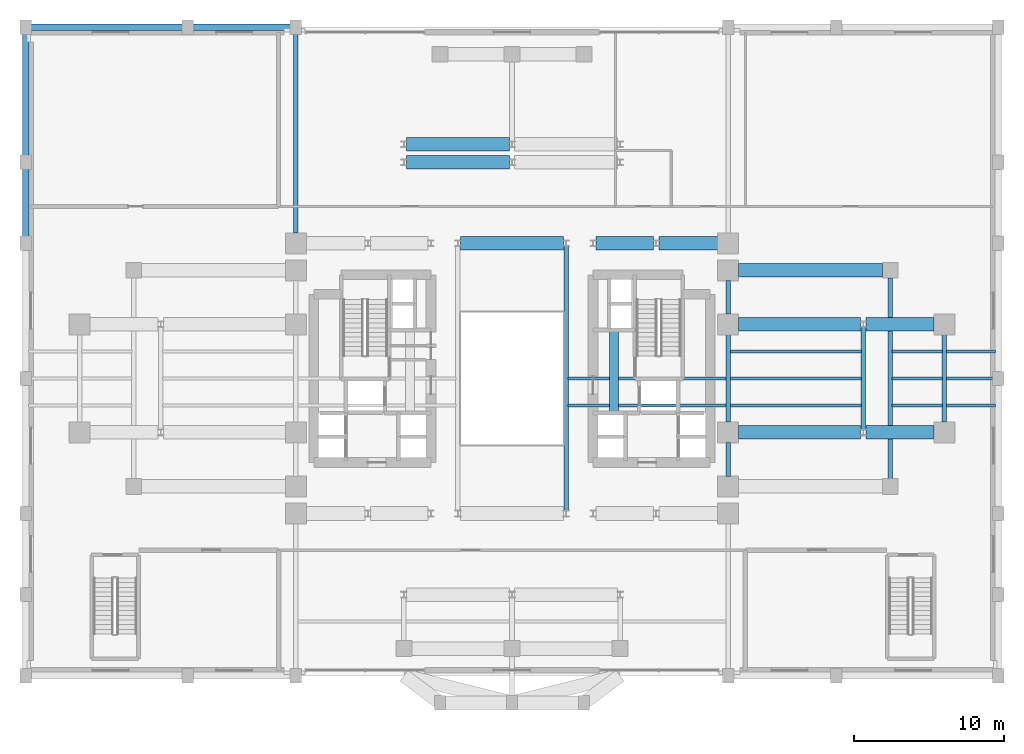
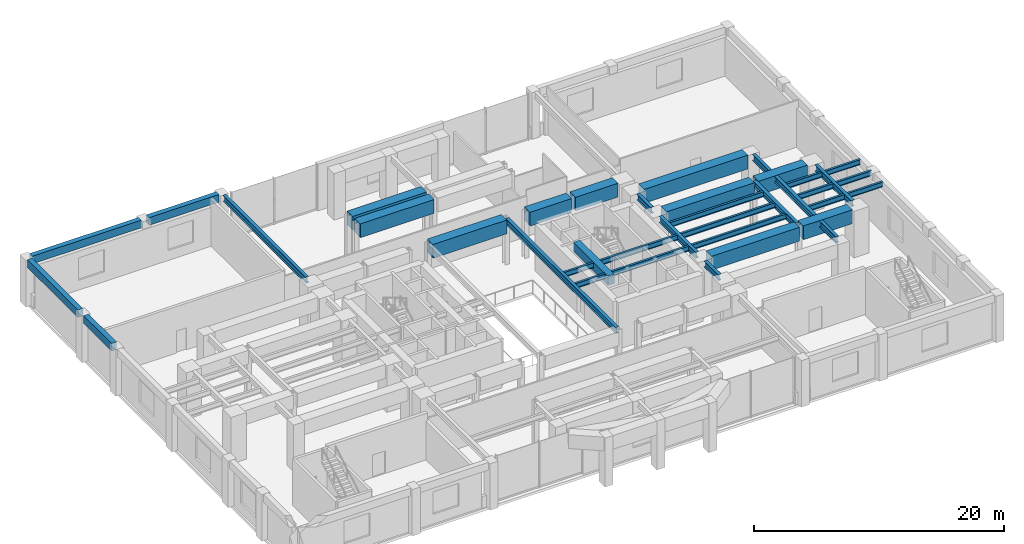
# One storey, part 7 of 14: 34 beams.
"""IFC4 building model written with IfcOpenShell, lengths in metres."""

from ifc_helpers import new_model, si_unit, direction, frame, origin, origin_2d, place, context, subcontext, project, spatial, rectangle, i_section, extrude, source, transform, mapped, material, material_profile, profile_set, type_object, element, save


model = new_model("IFC4")

# Units and contexts
model_context = context("Model", 3, precision=1e-05, world=origin(), true_north=direction((0.0, 1.0)))
body_context = subcontext(model_context, "Body", "Model", "MODEL_VIEW")
ifc_project = project(units=[si_unit("LENGTHUNIT", "METRE"), si_unit("AREAUNIT", "SQUARE_METRE"), si_unit("VOLUMEUNIT", "CUBIC_METRE"), si_unit("PLANEANGLEUNIT", "RADIAN"), si_unit("MASSUNIT", "GRAM", prefix="KILO")], contexts=[model_context])

# Site, building, storey
site_placement = place(None, origin())
site = spatial("IfcSite", under=ifc_project, at=site_placement, CompositionType="ELEMENT")
building_placement = place(site_placement, origin())
building = spatial("IfcBuilding", under=site, at=building_placement, Name="Keilestroom Media Tower", CompositionType="ELEMENT")
storey_placement = place(building_placement, frame((0.0, 0.0, 15.60009765625)))
storey = spatial("IfcBuildingStorey", under=building, at=storey_placement, Name="L03", CompositionType="ELEMENT", Elevation=15.60009765625)

# Beams
ifc_material_1 = material(Name="Precast concrete C40/50", Category="concrete")
ifc_material_profile_1 = material_profile(ifc_material_1, rectangle(XDim=0.449951171875, YDim=0.75, at=origin_2d()), Name="PC 450x750")
ifc_profile_set_1 = profile_set([ifc_material_profile_1], Name="Precast concrete C40/50")
beam_type_1 = type_object("IfcBeamType", Name="Perimeter-Spandrel-Beam-PC-450x750", PredefinedType="SPANDREL", material=ifc_profile_set_1)
shared_shape_1 = source(origin(), body_context, "Body", "SweptSolid", [
    extrude(rectangle(XDim=0.449951171875, YDim=0.75, at=origin_2d()), origin(), (0.0, 0.0, 1.0), 10.08984375),
])
beam_1_placement = place(storey_placement, frame((-32.044921875, 23.39990234375, 4.1748046875), z_axis=(1.0, 0.0, 0.0), x_axis=(0.0, 1.0, 0.0)))
element("IfcBeam", 1, at=beam_1_placement, inside=storey, type_object=beam_type_1, Name="L03 Beam SPB-1 BM-L03-EW-041", PredefinedType="SPANDREL", context=body_context, shape_type="MappedRepresentation", body=[
    mapped(shared_shape_1, transform((0.0, 0.0, 0.0), x_axis=(1.0, 0.0, 0.0), y_axis=(0.0, 1.0, 0.0), z_axis=(0.0, 0.0, 1.0), scale=1.0)),
])
shared_shape_2 = source(origin(), body_context, "Body", "SweptSolid", [
    extrude(rectangle(XDim=0.449951171875, YDim=0.75, at=origin_2d()), origin(), (0.0, 0.0, 1.0), 6.490234375),
])
beam_2_placement = place(storey_placement, frame((-21.2451171875, 23.39990234375, 4.1748046875), z_axis=(1.0, 0.0, 0.0), x_axis=(0.0, 1.0, 0.0)))
element("IfcBeam", 2, at=beam_2_placement, inside=storey, type_object=beam_type_1, Name="L03 Beam SPB-1 BM-L03-EW-042", PredefinedType="SPANDREL", context=body_context, shape_type="MappedRepresentation", body=[
    mapped(shared_shape_2, transform((0.0, 0.0, 0.0), x_axis=(1.0, 0.0, 0.0), y_axis=(0.0, 1.0, 0.0), z_axis=(0.0, 0.0, 1.0), scale=1.0)),
])
ifc_material_2 = material(Name="Concrete C70/85", Category="concrete")
ifc_material_profile_2 = material_profile(ifc_material_2, rectangle(XDim=0.60009765625, YDim=0.89990234375, at=origin_2d()), Name="RC 600x900")
ifc_profile_set_2 = profile_set([ifc_material_profile_2], Name="Concrete C70/85")
beam_type_2 = type_object("IfcBeamType", Name="Core-Coupling-Lintel-Beam-RC-600x900", PredefinedType="LINTEL", material=ifc_profile_set_2)
shared_shape_3 = source(origin(), body_context, "Body", "SweptSolid", [
    extrude(rectangle(XDim=0.60009765625, YDim=0.89990234375, at=origin_2d()), origin(), (0.0, 0.0, 1.0), 5.52001953125),
])
beam_3_placement = place(storey_placement, frame((6.800048828125, -2.300048828125, 4.099853515625), z_axis=(0.0, 1.0, 0.0), x_axis=(-1.0, 0.0, 0.0)))
element("IfcBeam", 3, at=beam_3_placement, inside=storey, type_object=beam_type_2, Name="L03 Beam CLB-1 CLB-L03-E", PredefinedType="LINTEL", context=body_context, shape_type="MappedRepresentation", body=[
    mapped(shared_shape_3, transform((0.0, 0.0, 0.0), x_axis=(1.0, 0.0, 0.0), y_axis=(0.0, 1.0, 0.0), z_axis=(0.0, 0.0, 1.0), scale=1.0)),
])
ifc_material_3 = material(Name="Concrete C55/67", Category="concrete")
ifc_material_profile_3 = material_profile(ifc_material_3, rectangle(XDim=0.89990234375, YDim=1.35009765625, at=origin_2d()), Name="RC 900x1350")
ifc_profile_set_3 = profile_set([ifc_material_profile_3], Name="Concrete C55/67")
beam_type_3 = type_object("IfcBeamType", Name="Primary-Structural-Girder-RC-900x1350", PredefinedType="BEAM", material=ifc_profile_set_3)
shared_shape_4 = source(origin(), body_context, "Body", "SweptSolid", [
    extrude(rectangle(XDim=0.89990234375, YDim=1.35009765625, at=origin_2d()), origin(), (0.0, 0.0, 1.0), 6.833984375),
])
for number, where, z_axis, x_axis, name in (
    (4, (-3.4169921875, 9.0, 3.875), (1.0, 0.0, 0.0), (0.0, 1.0, 0.0), "L03 Beam TG-2 BM-L03-EW-031"),
    (5, (-7.01708984375, 14.39990234375, 3.875), (1.0, 0.0, 0.0), (0.0, 1.0, 0.0), "L03 Beam TG-2 BM-L03-EW-035"),
    (6, (-7.01708984375, 15.60009765625, 3.875), (1.0, 0.0, 0.0), (0.0, 1.0, 0.0), "L03 Beam TG-2 BM-L03-EW-037"),
):
    element("IfcBeam", number, at=place(storey_placement, frame(where, z_axis=z_axis, x_axis=x_axis)), inside=storey, type_object=beam_type_3, Name=name, PredefinedType="BEAM", context=body_context, shape_type="MappedRepresentation", body=[
        mapped(shared_shape_4, transform((0.0, 0.0, 0.0), x_axis=(1.0, 0.0, 0.0), y_axis=(0.0, 1.0, 0.0), z_axis=(0.0, 0.0, 1.0), scale=1.0)),
    ])
shared_shape_5 = source(origin(), body_context, "Body", "SweptSolid", [
    extrude(rectangle(XDim=0.89990234375, YDim=1.35009765625, at=origin_2d()), origin(), (0.0, 0.0, 1.0), 3.93701171875),
])
beam_4_placement = place(storey_placement, frame((9.782958984375, 9.0, 3.875), z_axis=(1.0, 0.0, 0.0), x_axis=(0.0, 1.0, 0.0)))
element("IfcBeam", 7, at=beam_4_placement, inside=storey, type_object=beam_type_3, Name="L03 Beam TG-2 BM-L03-EW-034", PredefinedType="BEAM", context=body_context, shape_type="MappedRepresentation", body=[
    mapped(shared_shape_5, transform((0.0, 0.0, 0.0), x_axis=(1.0, 0.0, 0.0), y_axis=(0.0, 1.0, 0.0), z_axis=(0.0, 0.0, 1.0), scale=1.0)),
])
shared_shape_6 = source(origin(), body_context, "Body", "SweptSolid", [
    extrude(rectangle(XDim=0.89990234375, YDim=1.35009765625, at=origin_2d()), origin(), (0.0, 0.0, 1.0), 3.833984375),
])
beam_5_placement = place(storey_placement, frame((5.5830078125, 9.0, 3.875), z_axis=(1.0, 0.0, 0.0), x_axis=(0.0, 1.0, 0.0)))
element("IfcBeam", 8, at=beam_5_placement, inside=storey, type_object=beam_type_3, Name="L03 Beam TG-2 BM-L03-EW-033", PredefinedType="BEAM", context=body_context, shape_type="MappedRepresentation", body=[
    mapped(shared_shape_6, transform((0.0, 0.0, 0.0), x_axis=(1.0, 0.0, 0.0), y_axis=(0.0, 1.0, 0.0), z_axis=(0.0, 0.0, 1.0), scale=1.0)),
])
shared_shape_7 = source(origin(), body_context, "Body", "SweptSolid", [
    extrude(rectangle(XDim=0.89990234375, YDim=1.35009765625, at=origin_2d()), origin(), (0.0, 0.0, 1.0), 9.614990234375),
])
beam_6_placement = place(storey_placement, frame((15.080078125, 7.199951171875, 3.875), z_axis=(1.0, 0.0, 0.0), x_axis=(0.0, 1.0, 0.0)))
element("IfcBeam", 9, at=beam_6_placement, inside=storey, type_object=beam_type_3, Name="L03 Beam TG-2 BM-L03-EW-027", PredefinedType="BEAM", context=body_context, shape_type="MappedRepresentation", body=[
    mapped(shared_shape_7, transform((0.0, 0.0, 0.0), x_axis=(1.0, 0.0, 0.0), y_axis=(0.0, 1.0, 0.0), z_axis=(0.0, 0.0, 1.0), scale=1.0)),
])
shared_shape_8 = source(origin(), body_context, "Body", "SweptSolid", [
    extrude(rectangle(XDim=0.89990234375, YDim=1.35009765625, at=origin_2d()), origin(), (0.0, 0.0, 1.0), 4.537109375),
])
for number, where, z_axis, x_axis, name in (
    (10, (23.5830078125, -3.60009765625, 3.875), (1.0, 0.0, 0.0), (0.0, 1.0, 0.0), "L03 Beam TG-2 BM-L03-EW-021"),
    (11, (23.5830078125, 3.60009765625, 3.875), (1.0, 0.0, 0.0), (0.0, 1.0, 0.0), "L03 Beam TG-2 BM-L03-EW-025"),
):
    element("IfcBeam", number, at=place(storey_placement, frame(where, z_axis=z_axis, x_axis=x_axis)), inside=storey, type_object=beam_type_3, Name=name, PredefinedType="BEAM", context=body_context, shape_type="MappedRepresentation", body=[
        mapped(shared_shape_8, transform((0.0, 0.0, 0.0), x_axis=(1.0, 0.0, 0.0), y_axis=(0.0, 1.0, 0.0), z_axis=(0.0, 0.0, 1.0), scale=1.0)),
    ])
shared_shape_9 = source(origin(), body_context, "Body", "SweptSolid", [
    extrude(rectangle(XDim=0.89990234375, YDim=1.35009765625, at=origin_2d()), origin(), (0.0, 0.0, 1.0), 8.136962890625),
])
for number, where, z_axis, x_axis, name in (
    (12, (15.080078125, -3.60009765625, 3.875), (1.0, 0.0, 0.0), (0.0, 1.0, 0.0), "L03 Beam TG-2 BM-L03-EW-020"),
    (13, (15.080078125, 3.60009765625, 3.875), (1.0, 0.0, 0.0), (0.0, 1.0, 0.0), "L03 Beam TG-2 BM-L03-EW-024"),
):
    element("IfcBeam", number, at=place(storey_placement, frame(where, z_axis=z_axis, x_axis=x_axis)), inside=storey, type_object=beam_type_3, Name=name, PredefinedType="BEAM", context=body_context, shape_type="MappedRepresentation", body=[
        mapped(shared_shape_9, transform((0.0, 0.0, 0.0), x_axis=(1.0, 0.0, 0.0), y_axis=(0.0, 1.0, 0.0), z_axis=(0.0, 0.0, 1.0), scale=1.0)),
    ])
shared_shape_10 = source(origin(), body_context, "Body", "SweptSolid", [
    extrude(rectangle(XDim=0.449951171875, YDim=0.75, at=origin_2d()), origin(), (0.0, 0.0, 1.0), 4.489990234375),
])
beam_7_placement = place(storey_placement, frame((-32.39990234375, 9.455078125, 4.1748046875), z_axis=(0.0, 1.0, 0.0), x_axis=(-1.0, 0.0, 0.0)))
element("IfcBeam", 14, at=beam_7_placement, inside=storey, type_object=beam_type_1, Name="L03 Beam SPB-1 BM-L03-NS-049", PredefinedType="SPANDREL", context=body_context, shape_type="MappedRepresentation", body=[
    mapped(shared_shape_10, transform((0.0, 0.0, 0.0), x_axis=(1.0, 0.0, 0.0), y_axis=(0.0, 1.0, 0.0), z_axis=(0.0, 0.0, 1.0), scale=1.0)),
])
shared_shape_11 = source(origin(), body_context, "Body", "SweptSolid", [
    extrude(rectangle(XDim=0.449951171875, YDim=0.75, at=origin_2d()), origin(), (0.0, 0.0, 1.0), 8.090087890625),
])
beam_8_placement = place(storey_placement, frame((-32.39990234375, 14.85498046875, 4.1748046875), z_axis=(0.0, 1.0, 0.0), x_axis=(-1.0, 0.0, 0.0)))
element("IfcBeam", 15, at=beam_8_placement, inside=storey, type_object=beam_type_1, Name="L03 Beam SPB-1 BM-L03-NS-050", PredefinedType="SPANDREL", context=body_context, shape_type="MappedRepresentation", body=[
    mapped(shared_shape_11, transform((0.0, 0.0, 0.0), x_axis=(1.0, 0.0, 0.0), y_axis=(0.0, 1.0, 0.0), z_axis=(0.0, 0.0, 1.0), scale=1.0)),
])
ifc_material_4 = material(Name="Steel S355", Category="steel")
ifc_material_profile_4 = material_profile(ifc_material_4, i_section(OverallWidth=0.300048828125, OverallDepth=0.60009765625, WebThickness=0.013427734375, FlangeThickness=0.030029296875, at=origin_2d()), Name="HEB 600")
ifc_profile_set_4 = profile_set([ifc_material_profile_4], Name="Steel S355")
beam_type_4 = type_object("IfcBeamType", Name="Primary-Structural-Girder-HEB-600", PredefinedType="BEAM", material=ifc_profile_set_4)
shared_shape_12 = source(origin(), body_context, "Body", "SweptSolid", [
    extrude(i_section(OverallWidth=0.300048828125, OverallDepth=0.60009765625, WebThickness=0.013427734375, FlangeThickness=0.030029296875, at=origin_2d()), origin(), (0.0, 0.0, 1.0), 5.83984375),
])
for number, where, z_axis, x_axis, name in (
    (16, (14.39990234375, -2.919921875, 4.25), (0.0, 1.0, 0.0), (-1.0, 0.0, 0.0), "L03 Beam BG-4 BM-L03-NS-078"),
    (17, (28.800048828125, -2.919921875, 4.25), (0.0, 1.0, 0.0), (-1.0, 0.0, 0.0), "L03 Beam BG-4 BM-L03-NS-084"),
):
    element("IfcBeam", number, at=place(storey_placement, frame(where, z_axis=z_axis, x_axis=x_axis)), inside=storey, type_object=beam_type_4, Name=name, PredefinedType="BEAM", context=body_context, shape_type="MappedRepresentation", body=[
        mapped(shared_shape_12, transform((0.0, 0.0, 0.0), x_axis=(1.0, 0.0, 0.0), y_axis=(0.0, 1.0, 0.0), z_axis=(0.0, 0.0, 1.0), scale=1.0)),
    ])
shared_shape_13 = source(origin(), body_context, "Body", "SweptSolid", [
    extrude(i_section(OverallWidth=0.300048828125, OverallDepth=0.60009765625, WebThickness=0.013427734375, FlangeThickness=0.030029296875, at=origin_2d()), origin(), (0.0, 0.0, 1.0), 13.39013671875),
])
beam_9_placement = place(storey_placement, frame((25.199951171875, -6.695068359375, 4.25), z_axis=(0.0, 1.0, 0.0), x_axis=(-1.0, 0.0, 0.0)))
element("IfcBeam", 18, at=beam_9_placement, inside=storey, type_object=beam_type_4, Name="L03 Beam BG-4 BM-L03-NS-083", PredefinedType="BEAM", context=body_context, shape_type="MappedRepresentation", body=[
    mapped(shared_shape_13, transform((0.0, 0.0, 0.0), x_axis=(1.0, 0.0, 0.0), y_axis=(0.0, 1.0, 0.0), z_axis=(0.0, 0.0, 1.0), scale=1.0)),
])
shared_shape_14 = source(origin(), body_context, "Body", "SweptSolid", [
    extrude(i_section(OverallWidth=0.300048828125, OverallDepth=0.60009765625, WebThickness=0.013427734375, FlangeThickness=0.030029296875, at=origin_2d()), origin(), (0.0, 0.0, 1.0), 6.82421875),
])
beam_10_placement = place(storey_placement, frame((23.39990234375, -3.412109375, 4.25), z_axis=(0.0, 1.0, 0.0), x_axis=(-1.0, 0.0, 0.0)))
element("IfcBeam", 19, at=beam_10_placement, inside=storey, type_object=beam_type_4, Name="L03 Beam BG-4 BM-L03-NS-082", PredefinedType="BEAM", context=body_context, shape_type="MappedRepresentation", body=[
    mapped(shared_shape_14, transform((0.0, 0.0, 0.0), x_axis=(1.0, 0.0, 0.0), y_axis=(0.0, 1.0, 0.0), z_axis=(0.0, 0.0, 1.0), scale=1.0)),
])
shared_shape_15 = source(origin(), body_context, "Body", "SweptSolid", [
    extrude(i_section(OverallWidth=0.300048828125, OverallDepth=0.60009765625, WebThickness=0.013427734375, FlangeThickness=0.030029296875, at=origin_2d()), origin(), (0.0, 0.0, 1.0), 2.239990234375),
])
for number, where, z_axis, x_axis, name in (
    (20, (14.39990234375, -6.52001953125, 4.25), (0.0, 1.0, 0.0), (-1.0, 0.0, 0.0), "L03 Beam BG-4 BM-L03-NS-077"),
    (21, (14.39990234375, 4.280029296875, 4.25), (0.0, 1.0, 0.0), (-1.0, 0.0, 0.0), "L03 Beam BG-4 BM-L03-NS-079"),
):
    element("IfcBeam", number, at=place(storey_placement, frame(where, z_axis=z_axis, x_axis=x_axis)), inside=storey, type_object=beam_type_4, Name=name, PredefinedType="BEAM", context=body_context, shape_type="MappedRepresentation", body=[
        mapped(shared_shape_15, transform((0.0, 0.0, 0.0), x_axis=(1.0, 0.0, 0.0), y_axis=(0.0, 1.0, 0.0), z_axis=(0.0, 0.0, 1.0), scale=1.0)),
    ])
shared_shape_16 = source(origin(), body_context, "Body", "SweptSolid", [
    extrude(i_section(OverallWidth=0.300048828125, OverallDepth=0.60009765625, WebThickness=0.013427734375, FlangeThickness=0.030029296875, at=origin_2d()), origin(), (0.0, 0.0, 1.0), 13.26513671875),
])
beam_11_placement = place(storey_placement, frame((-14.39990234375, 9.679931640625, 4.25), z_axis=(0.0, 1.0, 0.0), x_axis=(-1.0, 0.0, 0.0)))
element("IfcBeam", 22, at=beam_11_placement, inside=storey, type_object=beam_type_4, Name="L03 Beam BG-4 BM-L03-NS-060", PredefinedType="BEAM", context=body_context, shape_type="MappedRepresentation", body=[
    mapped(shared_shape_16, transform((0.0, 0.0, 0.0), x_axis=(1.0, 0.0, 0.0), y_axis=(0.0, 1.0, 0.0), z_axis=(0.0, 0.0, 1.0), scale=1.0)),
])
shared_shape_17 = source(origin(), body_context, "Body", "SweptSolid", [
    extrude(i_section(OverallWidth=0.300048828125, OverallDepth=0.60009765625, WebThickness=0.013427734375, FlangeThickness=0.030029296875, at=origin_2d()), origin(), (0.0, 0.0, 1.0), 17.6240234375),
])
beam_12_placement = place(storey_placement, frame((3.60009765625, -8.81201171875, 4.25), z_axis=(0.0, 1.0, 0.0), x_axis=(-1.0, 0.0, 0.0)))
element("IfcBeam", 23, at=beam_12_placement, inside=storey, type_object=beam_type_4, Name="L03 Beam BG-4 BM-L03-NS-070", PredefinedType="BEAM", context=body_context, shape_type="MappedRepresentation", body=[
    mapped(shared_shape_17, transform((0.0, 0.0, 0.0), x_axis=(1.0, 0.0, 0.0), y_axis=(0.0, 1.0, 0.0), z_axis=(0.0, 0.0, 1.0), scale=1.0)),
])
ifc_material_profile_5 = material_profile(ifc_material_4, i_section(OverallWidth=0.199951171875, OverallDepth=0.5, WebThickness=0.01025390625, FlangeThickness=0.01611328125, at=origin_2d()), Name="IPE 500")
ifc_profile_set_5 = profile_set([ifc_material_profile_5], Name="Steel S355")
beam_type_5 = type_object("IfcBeamType", Name="Secondary-Floor-Joist-IPE-500", PredefinedType="JOIST", material=ifc_profile_set_5)
shared_shape_18 = source(origin(), body_context, "Body", "SweptSolid", [
    extrude(i_section(OverallWidth=0.199951171875, OverallDepth=0.5, WebThickness=0.01025390625, FlangeThickness=0.01611328125, at=origin_2d()), origin(), (0.0, 0.0, 1.0), 3.26513671875),
])
for number, where, z_axis, x_axis, name in (
    (24, (28.929931640625, -1.800048828125, 4.2998046875), (1.0, 0.0, 0.0), (0.0, 1.0, 0.0), "L03 Beam BJ-2 JST-L03-103"),
    (25, (28.929931640625, 0.0, 4.2998046875), (1.0, 0.0, 0.0), (0.0, 1.0, 0.0), "L03 Beam BJ-2 JST-L03-112"),
    (26, (28.929931640625, 1.800048828125, 4.2998046875), (1.0, 0.0, 0.0), (0.0, 1.0, 0.0), "L03 Beam BJ-2 JST-L03-121"),
):
    element("IfcBeam", number, at=place(storey_placement, frame(where, z_axis=z_axis, x_axis=x_axis)), inside=storey, type_object=beam_type_5, Name=name, PredefinedType="JOIST", context=body_context, shape_type="MappedRepresentation", body=[
        mapped(shared_shape_18, transform((0.0, 0.0, 0.0), x_axis=(1.0, 0.0, 0.0), y_axis=(0.0, 1.0, 0.0), z_axis=(0.0, 0.0, 1.0), scale=1.0)),
    ])
shared_shape_19 = source(origin(), body_context, "Body", "SweptSolid", [
    extrude(i_section(OverallWidth=0.199951171875, OverallDepth=0.5, WebThickness=0.01025390625, FlangeThickness=0.01611328125, at=origin_2d()), origin(), (0.0, 0.0, 1.0), 3.33984375),
])
for number, where, z_axis, x_axis, name in (
    (27, (25.330078125, -1.800048828125, 4.2998046875), (1.0, 0.0, 0.0), (0.0, 1.0, 0.0), "L03 Beam BJ-2 JST-L03-102"),
    (28, (25.330078125, 0.0, 4.2998046875), (1.0, 0.0, 0.0), (0.0, 1.0, 0.0), "L03 Beam BJ-2 JST-L03-111"),
    (29, (25.330078125, 1.800048828125, 4.2998046875), (1.0, 0.0, 0.0), (0.0, 1.0, 0.0), "L03 Beam BJ-2 JST-L03-120"),
):
    element("IfcBeam", number, at=place(storey_placement, frame(where, z_axis=z_axis, x_axis=x_axis)), inside=storey, type_object=beam_type_5, Name=name, PredefinedType="JOIST", context=body_context, shape_type="MappedRepresentation", body=[
        mapped(shared_shape_19, transform((0.0, 0.0, 0.0), x_axis=(1.0, 0.0, 0.0), y_axis=(0.0, 1.0, 0.0), z_axis=(0.0, 0.0, 1.0), scale=1.0)),
    ])
shared_shape_20 = source(origin(), body_context, "Body", "SweptSolid", [
    extrude(i_section(OverallWidth=0.199951171875, OverallDepth=0.5, WebThickness=0.01025390625, FlangeThickness=0.01611328125, at=origin_2d()), origin(), (0.0, 0.0, 1.0), 8.739990234375),
])
for number, where, z_axis, x_axis, name in (
    (30, (14.530029296875, -1.800048828125, 4.2998046875), (1.0, 0.0, 0.0), (0.0, 1.0, 0.0), "L03 Beam BJ-2 JST-L03-101"),
    (31, (14.530029296875, 0.0, 4.2998046875), (1.0, 0.0, 0.0), (0.0, 1.0, 0.0), "L03 Beam BJ-2 JST-L03-110"),
    (32, (14.530029296875, 1.800048828125, 4.2998046875), (1.0, 0.0, 0.0), (0.0, 1.0, 0.0), "L03 Beam BJ-2 JST-L03-119"),
):
    element("IfcBeam", number, at=place(storey_placement, frame(where, z_axis=z_axis, x_axis=x_axis)), inside=storey, type_object=beam_type_5, Name=name, PredefinedType="JOIST", context=body_context, shape_type="MappedRepresentation", body=[
        mapped(shared_shape_20, transform((0.0, 0.0, 0.0), x_axis=(1.0, 0.0, 0.0), y_axis=(0.0, 1.0, 0.0), z_axis=(0.0, 0.0, 1.0), scale=1.0)),
    ])
shared_shape_21 = source(origin(), body_context, "Body", "SweptSolid", [
    extrude(i_section(OverallWidth=0.199951171875, OverallDepth=0.5, WebThickness=0.01025390625, FlangeThickness=0.01611328125, at=origin_2d()), origin(), (0.0, 0.0, 1.0), 10.5400390625),
])
for number, where, z_axis, x_axis, name in (
    (33, (3.72998046875, -1.800048828125, 4.2998046875), (1.0, 0.0, 0.0), (0.0, 1.0, 0.0), "L03 Beam BJ-2 JST-L03-100"),
    (34, (3.72998046875, 0.0, 4.2998046875), (1.0, 0.0, 0.0), (0.0, 1.0, 0.0), "L03 Beam BJ-2 JST-L03-109"),
):
    element("IfcBeam", number, at=place(storey_placement, frame(where, z_axis=z_axis, x_axis=x_axis)), inside=storey, type_object=beam_type_5, Name=name, PredefinedType="JOIST", context=body_context, shape_type="MappedRepresentation", body=[
        mapped(shared_shape_21, transform((0.0, 0.0, 0.0), x_axis=(1.0, 0.0, 0.0), y_axis=(0.0, 1.0, 0.0), z_axis=(0.0, 0.0, 1.0), scale=1.0)),
    ])

save(model, "model.ifc")
